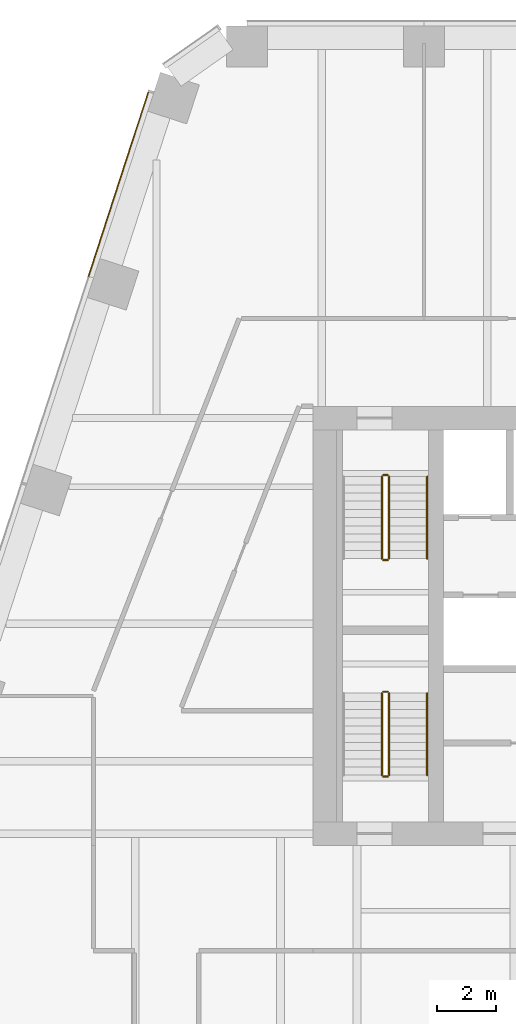
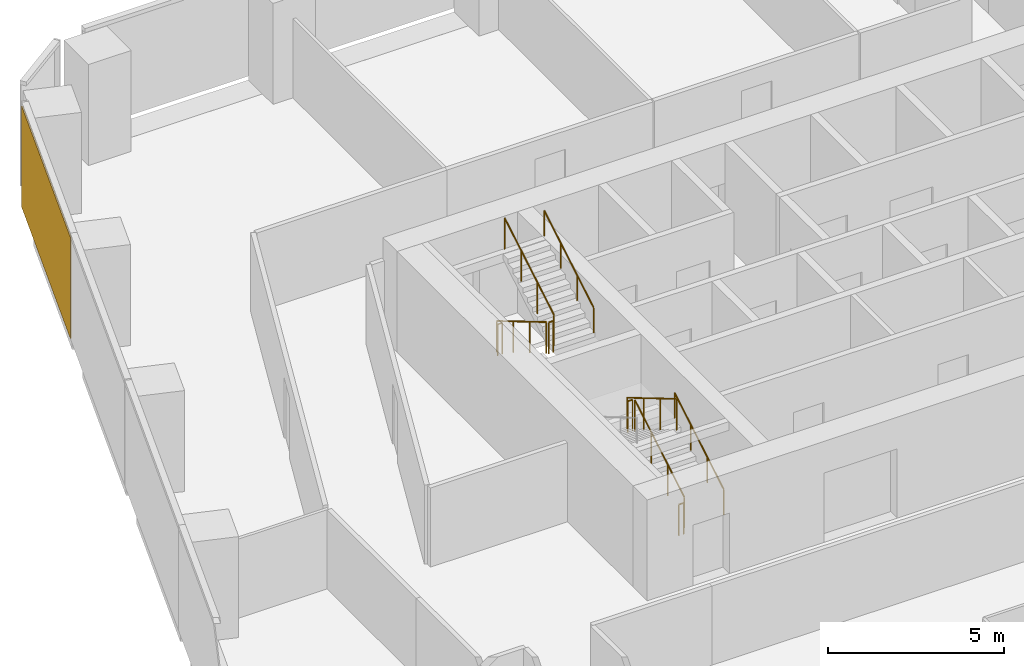
# One storey, part 15 of 16: 10 railings, 1 covering, 1 element without a shape of its own.
"""IFC4 building model written with IfcOpenShell, lengths in metres."""

from ifc_helpers import new_model, si_unit, direction, frame, origin, origin_2d, place, context, subcontext, project, spatial, rectangle, circle, extrude, material, layer, layer_set, type_object, element, aggregate, save


model = new_model("IFC4")

# Units and contexts
model_context = context("Model", 3, precision=1e-05, world=origin(), true_north=direction((0.0, 1.0)))
body_context = subcontext(model_context, "Body", "Model", "MODEL_VIEW")
ifc_project = project(units=[si_unit("LENGTHUNIT", "METRE"), si_unit("AREAUNIT", "SQUARE_METRE"), si_unit("VOLUMEUNIT", "CUBIC_METRE"), si_unit("PLANEANGLEUNIT", "RADIAN"), si_unit("MASSUNIT", "GRAM", prefix="KILO")], contexts=[model_context])

# Site, building, storey
site_placement = place(None, origin())
site = spatial("IfcSite", under=ifc_project, at=site_placement, CompositionType="ELEMENT")
building_placement = place(site_placement, origin())
building = spatial("IfcBuilding", under=site, at=building_placement, Name="Isthmus Gate Tower", CompositionType="ELEMENT")
storey_placement = place(building_placement, frame((0.0, 0.0, 133.449951171875)))
storey = spatial("IfcBuildingStorey", under=building, at=storey_placement, Name="L32", CompositionType="ELEMENT", Elevation=133.449951171875)

# Curtain wall, covering
ifc_material_1 = material(Name="Aluminium, pale champagne anodised", Category="aluminium")
ifc_layer_1 = layer(ifc_material_1, 0.199951171875)
ifc_layer_set_1 = layer_set([ifc_layer_1], Name="CW-1 UNITISED CURTAIN WALL 200 DEEP")
curtain_wall_type = type_object("IfcCurtainWallType", Name="CW-1 UNITISED CURTAIN WALL 200 DEEP", PredefinedType="NOTDEFINED", material=ifc_layer_set_1)
curtain_wall_placement = place(storey_placement, origin())
curtain_wall = element("IfcCurtainWall", 1, at=curtain_wall_placement, inside=storey, type_object=curtain_wall_type, Name="CW-1 NW L32", PredefinedType="NOTDEFINED")
ifc_material_2 = material(Name="Aluminium composite panel, pale champagne anodised", Category="aluminium")
ifc_layer_2 = layer(ifc_material_2, 0.035888671875)
ifc_layer_set_2 = layer_set([ifc_layer_2], Name="CW-1 PALE METAL PANEL 36")
covering_type = type_object("IfcCoveringType", Name="CW-1 PALE METAL PANEL 36", PredefinedType="CLADDING", material=ifc_layer_set_2)
covering_placement = place(storey_placement, frame((-21.647216796875, 22.59521484375, 0.0), z_axis=(0.0, 0.0, 1.0), x_axis=(-0.309016994375, -0.951056516295, 0.0)))
covering = element("IfcCovering", 2, at=covering_placement, type_object=covering_type, Name="CW-1 pale metal panel", PredefinedType="CLADDING", context=body_context, shape_type="SweptSolid", body=[
    extrude(rectangle(XDim=6.630859375, YDim=0.035888671875, at=origin_2d()), origin(), (0.0, 0.0, 1.0), 3.510009765625),
])
aggregate(curtain_wall, [covering])

# Railings
ifc_material_3 = material(Name="Stainless steel balustrade", Category="steel")
railing_type_1 = type_object("IfcRailingType", Name="STAIR GUARD 1100", PredefinedType="GUARDRAIL", material=ifc_material_3)
railing_1_placement = place(storey_placement, frame((-12.64990234375, 12.60009765625, 0.166015625)))
element("IfcRailing", 3, at=railing_1_placement, inside=storey, type_object=railing_type_1, Name="L32 ST1 stair guard 1", PredefinedType="GUARDRAIL", context=body_context, shape_type="SweptSolid", body=[
    extrude(circle(Radius=0.02392578125, at=origin_2d()), frame((0.0, 0.0, 1.076171875), z_axis=(0.0, -0.860339051648, 0.50972219513), x_axis=(1.0, 0.0, 0.0)), (0.0, 0.0, 1.0), 3.254638671875),
    extrude(circle(Radius=0.02099609375, at=origin_2d()), origin(), (0.0, 0.0, 1.0), 1.052001953125),
    extrude(circle(Radius=0.02099609375, at=origin_2d()), frame((0.0, -0.933349609375, 0.552978515625)), (0.0, 0.0, 1.0), 1.052001953125),
    extrude(circle(Radius=0.02099609375, at=origin_2d()), frame((0.0, -1.86669921875, 1.10595703125)), (0.0, 0.0, 1.0), 1.052001953125),
    extrude(circle(Radius=0.02099609375, at=origin_2d()), frame((0.0, -2.800048828125, 1.658935546875)), (0.0, 0.0, 1.0), 1.052001953125),
])
railing_2_placement = place(storey_placement, frame((-12.60009765625, 9.75, 1.824951171875)))
element("IfcRailing", 4, at=railing_2_placement, inside=storey, type_object=railing_type_1, Name="L32 ST1 stair guard 2", PredefinedType="GUARDRAIL", context=body_context, shape_type="SweptSolid", body=[
    extrude(circle(Radius=0.02392578125, at=origin_2d()), frame((0.0, 0.0, 1.076171875), z_axis=(1.0, 0.0, 0.0), x_axis=(0.0, 1.0, 0.0)), (0.0, 0.0, 1.0), 0.150146484375),
    extrude(circle(Radius=0.02099609375, at=origin_2d()), origin(), (0.0, 0.0, 1.0), 1.052001953125),
    extrude(circle(Radius=0.02099609375, at=origin_2d()), frame((0.150146484375, 0.0, 0.0)), (0.0, 0.0, 1.0), 1.052001953125),
])
railing_3_placement = place(storey_placement, frame((-12.39990234375, 9.800048828125, 1.990966796875)))
element("IfcRailing", 5, at=railing_3_placement, inside=storey, type_object=railing_type_1, Name="L32 ST1 stair guard 3", PredefinedType="GUARDRAIL", context=body_context, shape_type="SweptSolid", body=[
    extrude(circle(Radius=0.02392578125, at=origin_2d()), frame((0.0, 0.0, 1.076171875), z_axis=(0.0, 0.860306154799, 0.50977771628), x_axis=(-1.0, 0.0, 0.0)), (0.0, 0.0, 1.0), 3.254638671875),
    extrude(circle(Radius=0.02099609375, at=origin_2d()), origin(), (0.0, 0.0, 1.0), 1.052001953125),
    extrude(circle(Radius=0.02099609375, at=origin_2d()), frame((0.0, 0.933349609375, 0.552978515625)), (0.0, 0.0, 1.0), 1.052001953125),
    extrude(circle(Radius=0.02099609375, at=origin_2d()), frame((0.0, 1.86669921875, 1.106201171875)), (0.0, 0.0, 1.0), 1.052001953125),
    extrude(circle(Radius=0.02099609375, at=origin_2d()), frame((0.0, 2.800048828125, 1.6591796875)), (0.0, 0.0, 1.0), 1.052001953125),
])
railing_4_placement = place(storey_placement, frame((-12.60009765625, 12.64990234375, 0.0)))
element("IfcRailing", 6, at=railing_4_placement, inside=storey, type_object=railing_type_1, Name="L32 ST1 stair guard 4", PredefinedType="GUARDRAIL", context=body_context, shape_type="SweptSolid", body=[
    extrude(circle(Radius=0.02392578125, at=origin_2d()), frame((0.0, 0.0, 1.076171875), z_axis=(1.0, 0.0, 0.0), x_axis=(0.0, 1.0, 0.0)), (0.0, 0.0, 1.0), 0.150146484375),
    extrude(circle(Radius=0.02099609375, at=origin_2d()), origin(), (0.0, 0.0, 1.0), 1.052001953125),
    extrude(circle(Radius=0.02099609375, at=origin_2d()), frame((0.150146484375, 0.0, 0.0)), (0.0, 0.0, 1.0), 1.052001953125),
])
railing_5_placement = place(storey_placement, frame((-12.39990234375, 2.39990234375, 0.166015625)))
element("IfcRailing", 7, at=railing_5_placement, inside=storey, type_object=railing_type_1, Name="L32 ST7 stair guard 1", PredefinedType="GUARDRAIL", context=body_context, shape_type="SweptSolid", body=[
    extrude(circle(Radius=0.02392578125, at=origin_2d()), frame((0.0, 0.0, 1.076171875), z_axis=(0.0, 0.860339051648, 0.50972219513), x_axis=(-1.0, 0.0, 0.0)), (0.0, 0.0, 1.0), 3.254638671875),
    extrude(circle(Radius=0.02099609375, at=origin_2d()), origin(), (0.0, 0.0, 1.0), 1.052001953125),
    extrude(circle(Radius=0.02099609375, at=origin_2d()), frame((0.0, 0.933349609375, 0.552978515625)), (0.0, 0.0, 1.0), 1.052001953125),
    extrude(circle(Radius=0.02099609375, at=origin_2d()), frame((0.0, 1.86669921875, 1.10595703125)), (0.0, 0.0, 1.0), 1.052001953125),
    extrude(circle(Radius=0.02099609375, at=origin_2d()), frame((0.0, 2.800048828125, 1.658935546875)), (0.0, 0.0, 1.0), 1.052001953125),
])
railing_6_placement = place(storey_placement, frame((-12.449951171875, 5.25, 1.824951171875)))
element("IfcRailing", 8, at=railing_6_placement, inside=storey, type_object=railing_type_1, Name="L32 ST7 stair guard 2", PredefinedType="GUARDRAIL", context=body_context, shape_type="SweptSolid", body=[
    extrude(circle(Radius=0.02392578125, at=origin_2d()), frame((0.0, 0.0, 1.076171875), z_axis=(-1.0, 0.0, 0.0), x_axis=(0.0, -1.0, 0.0)), (0.0, 0.0, 1.0), 0.150146484375),
    extrude(circle(Radius=0.02099609375, at=origin_2d()), origin(), (0.0, 0.0, 1.0), 1.052001953125),
    extrude(circle(Radius=0.02099609375, at=origin_2d()), frame((-0.150146484375, 0.0, 0.0)), (0.0, 0.0, 1.0), 1.052001953125),
])
railing_7_placement = place(storey_placement, frame((-12.64990234375, 5.199951171875, 1.990966796875)))
element("IfcRailing", 9, at=railing_7_placement, inside=storey, type_object=railing_type_1, Name="L32 ST7 stair guard 3", PredefinedType="GUARDRAIL", context=body_context, shape_type="SweptSolid", body=[
    extrude(circle(Radius=0.02392578125, at=origin_2d()), frame((0.0, 0.0, 1.076171875), z_axis=(0.0, -0.860306154799, 0.50977771628), x_axis=(1.0, 0.0, 0.0)), (0.0, 0.0, 1.0), 3.254638671875),
    extrude(circle(Radius=0.02099609375, at=origin_2d()), origin(), (0.0, 0.0, 1.0), 1.052001953125),
    extrude(circle(Radius=0.02099609375, at=origin_2d()), frame((0.0, -0.933349609375, 0.552978515625)), (0.0, 0.0, 1.0), 1.052001953125),
    extrude(circle(Radius=0.02099609375, at=origin_2d()), frame((0.0, -1.86669921875, 1.106201171875)), (0.0, 0.0, 1.0), 1.052001953125),
    extrude(circle(Radius=0.02099609375, at=origin_2d()), frame((0.0, -2.800048828125, 1.6591796875)), (0.0, 0.0, 1.0), 1.052001953125),
])
railing_8_placement = place(storey_placement, frame((-12.449951171875, 2.35009765625, 0.0)))
element("IfcRailing", 10, at=railing_8_placement, inside=storey, type_object=railing_type_1, Name="L32 ST7 stair guard 4", PredefinedType="GUARDRAIL", context=body_context, shape_type="SweptSolid", body=[
    extrude(circle(Radius=0.02392578125, at=origin_2d()), frame((0.0, 0.0, 1.076171875), z_axis=(-1.0, 0.0, 0.0), x_axis=(0.0, -1.0, 0.0)), (0.0, 0.0, 1.0), 0.150146484375),
    extrude(circle(Radius=0.02099609375, at=origin_2d()), origin(), (0.0, 0.0, 1.0), 1.052001953125),
    extrude(circle(Radius=0.02099609375, at=origin_2d()), frame((-0.150146484375, 0.0, 0.0)), (0.0, 0.0, 1.0), 1.052001953125),
])
ifc_material_4 = material(Name="Stainless steel handrail", Category="steel")
railing_type_2 = type_object("IfcRailingType", Name="STAIR HANDRAIL 900", PredefinedType="HANDRAIL", material=ifc_material_4)
railing_9_placement = place(storey_placement, frame((-11.10009765625, 9.800048828125, 1.990966796875)))
element("IfcRailing", 11, at=railing_9_placement, inside=storey, type_object=railing_type_2, Name="L32 ST1 stair handrail 2", PredefinedType="HANDRAIL", context=body_context, shape_type="SweptSolid", body=[
    extrude(circle(Radius=0.02392578125, at=origin_2d()), frame((0.0, 0.0, 0.8759765625), z_axis=(0.0, 0.860306154799, 0.50977771628), x_axis=(-1.0, 0.0, 0.0)), (0.0, 0.0, 1.0), 3.254638671875),
    extrude(circle(Radius=0.02099609375, at=origin_2d()), origin(), (0.0, 0.0, 1.0), 0.851806640625),
    extrude(circle(Radius=0.02099609375, at=origin_2d()), frame((0.0, 0.933349609375, 0.552978515625)), (0.0, 0.0, 1.0), 0.851806640625),
    extrude(circle(Radius=0.02099609375, at=origin_2d()), frame((0.0, 1.86669921875, 1.106201171875)), (0.0, 0.0, 1.0), 0.851806640625),
    extrude(circle(Radius=0.02099609375, at=origin_2d()), frame((0.0, 2.800048828125, 1.6591796875)), (0.0, 0.0, 1.0), 0.851806640625),
])
railing_10_placement = place(storey_placement, frame((-11.10009765625, 2.39990234375, 0.166015625)))
element("IfcRailing", 12, at=railing_10_placement, inside=storey, type_object=railing_type_2, Name="L32 ST7 stair handrail 1", PredefinedType="HANDRAIL", context=body_context, shape_type="SweptSolid", body=[
    extrude(circle(Radius=0.02392578125, at=origin_2d()), frame((0.0, 0.0, 0.8759765625), z_axis=(0.0, 0.860339051648, 0.50972219513), x_axis=(-1.0, 0.0, 0.0)), (0.0, 0.0, 1.0), 3.254638671875),
    extrude(circle(Radius=0.02099609375, at=origin_2d()), origin(), (0.0, 0.0, 1.0), 0.851806640625),
    extrude(circle(Radius=0.02099609375, at=origin_2d()), frame((0.0, 0.933349609375, 0.552978515625)), (0.0, 0.0, 1.0), 0.851806640625),
    extrude(circle(Radius=0.02099609375, at=origin_2d()), frame((0.0, 1.86669921875, 1.10595703125)), (0.0, 0.0, 1.0), 0.851806640625),
    extrude(circle(Radius=0.02099609375, at=origin_2d()), frame((0.0, 2.800048828125, 1.658935546875)), (0.0, 0.0, 1.0), 0.851806640625),
])

save(model, "model.ifc")
